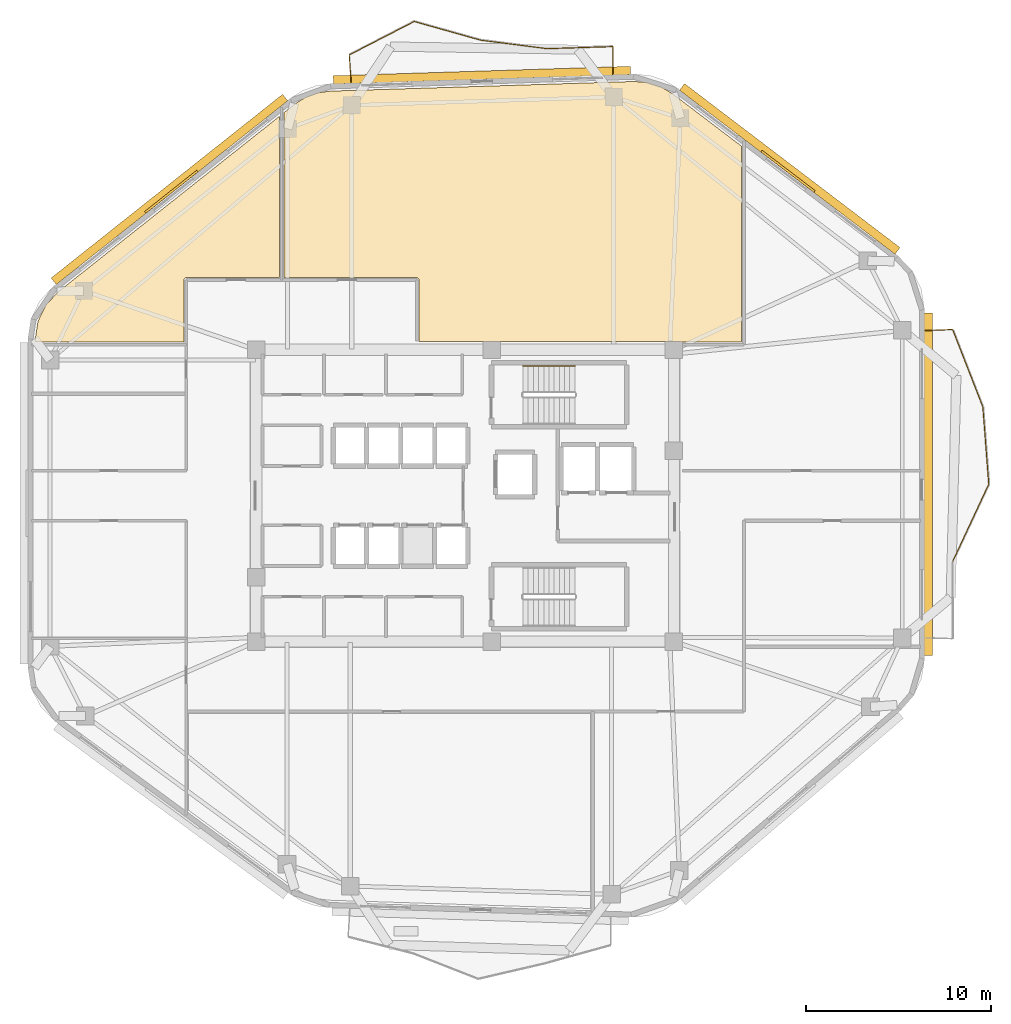
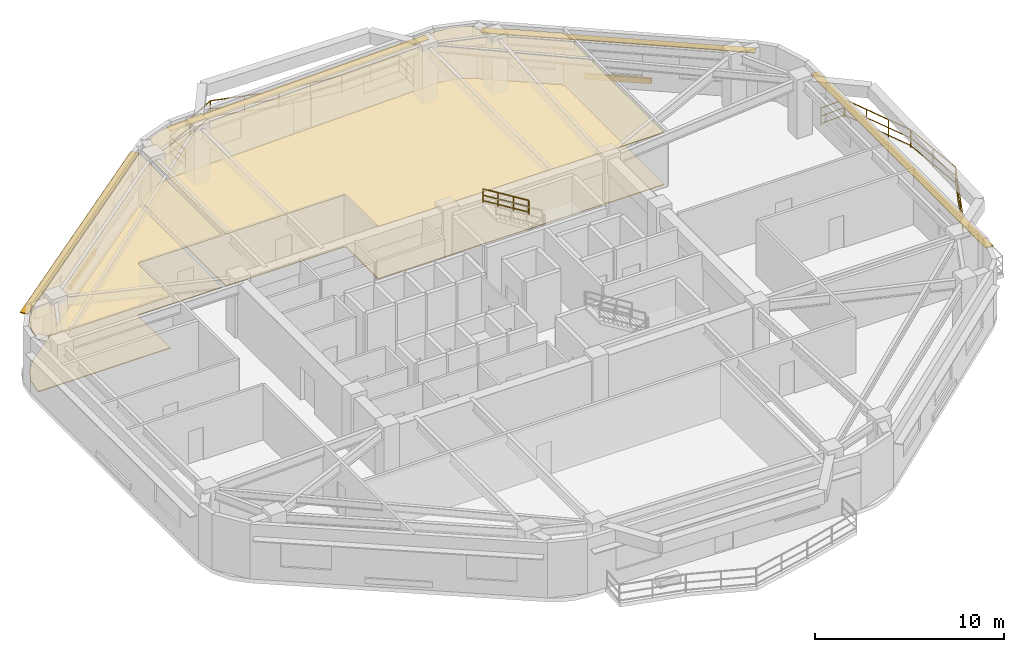
# One storey, part 8 of 9: 11 railings, 6 shading devices, 4 coverings.
"""IFC4 building model written with IfcOpenShell, lengths in metres."""

import ifcopenshell
import ifcopenshell.guid

model = None  # the IFC model being written
_history = None  # IfcOwnerHistory: only IFC2X3 demands one
_inside = {}  # id of a spatial element -> (the spatial element, [elements in it])
_under = {}  # id of a project, library or spatial element -> (it, [spatial elements below it])
_declared = {}  # id of a project -> (the project, [libraries it declares])
_typed = {}  # id of a type object -> (the type object, [elements of that type])
_made_of = {}  # id of a material, layer set ... -> (it, [elements and type objects made of it])


def new_model(schema):
    """Start an empty IFC model of exactly this schema.

    Asked for "IFC4X3", IfcOpenShell would pick the latest addendum, in which some entities
    have other attributes; the version numbers below select the first issue.
    IFC2X3 requires an IfcOwnerHistory on every rooted entity: one is made here for all.
    """
    global model, _history
    if schema == "IFC4X3":
        model = ifcopenshell.file(schema_version=(4, 3, 0, 0))
    else:
        model = ifcopenshell.file(schema=schema)
    _inside.clear()
    _under.clear()
    _declared.clear()
    _typed.clear()
    _made_of.clear()
    _history = None
    if model.schema == "IFC2X3":
        org = make("IfcOrganization", Name="unknown")
        user = make(
            "IfcPersonAndOrganization",
            ThePerson=make("IfcPerson", FamilyName="unknown"),
            TheOrganization=org,
        )
        app = make(
            "IfcApplication",
            ApplicationDeveloper=org,
            Version="unknown",
            ApplicationFullName="unknown",
            ApplicationIdentifier="unknown",
        )
        _history = make(
            "IfcOwnerHistory",
            OwningUser=user,
            OwningApplication=app,
            ChangeAction="ADDED",
            CreationDate=0,
        )
    return model


def make(cls, **values):
    """One entity of the class cls with the attributes given. An attribute that is None is left unset."""
    return model.create_entity(
        cls, **{name: value for name, value in values.items() if value is not None}
    )


def rooted(cls, **values):
    """An entity with a GlobalId (a new one), such as an element, a storey or a relation."""
    return make(cls, GlobalId=ifcopenshell.guid.new(), OwnerHistory=_history, **values)


def si_unit(unit_type, name, prefix=None):
    """IfcSIUnit, for example si_unit("LENGTHUNIT", "METRE", prefix="MILLI")."""
    return make("IfcSIUnit", UnitType=unit_type, Prefix=prefix, Name=name)


def assignment(units):
    """IfcUnitAssignment: the units of a project."""
    return None if units is None else make("IfcUnitAssignment", Units=units)


def point(xyz):
    """IfcCartesianPoint."""
    return None if xyz is None else make("IfcCartesianPoint", Coordinates=xyz)


def direction(xyz):
    """IfcDirection."""
    return None if xyz is None else make("IfcDirection", DirectionRatios=xyz)


def frame(location, z_axis=None, x_axis=None):
    """IfcAxis2Placement3D, a coordinate frame: its origin and axes. An axis left out is left unset."""
    return make(
        "IfcAxis2Placement3D",
        Location=point(location),
        Axis=direction(z_axis),
        RefDirection=direction(x_axis),
    )


def frame_2d(location, x_axis=None):
    """IfcAxis2Placement2D, a coordinate frame in the plane: its origin and x axis."""
    return make(
        "IfcAxis2Placement2D", Location=point(location), RefDirection=direction(x_axis)
    )


def origin():
    """The frame at (0, 0, 0) with its axes left unset."""
    return frame((0.0, 0.0, 0.0))


def origin_2d():
    """The frame at (0, 0) in the plane with its x axis left unset."""
    return frame_2d((0.0, 0.0))


def place(relative_to, where):
    """IfcLocalPlacement: puts the frame where relative to a parent placement (None: the world)."""
    return make(
        "IfcLocalPlacement", PlacementRelTo=relative_to, RelativePlacement=where
    )


def context(
    kind, dimensions, precision=None, world=None, true_north=None, identifier=None
):
    """IfcGeometricRepresentationContext, for example the 3D "Model" context."""
    return make(
        "IfcGeometricRepresentationContext",
        ContextIdentifier=identifier,
        ContextType=kind,
        CoordinateSpaceDimension=dimensions,
        Precision=precision,
        WorldCoordinateSystem=world,
        TrueNorth=true_north,
    )


def subcontext(parent, identifier, kind, view, scale=None):
    """IfcGeometricRepresentationSubContext, for example "Body" below "Model"."""
    return make(
        "IfcGeometricRepresentationSubContext",
        ContextIdentifier=identifier,
        ContextType=kind,
        ParentContext=parent,
        TargetScale=scale,
        TargetView=view,
    )


def project(units=None, contexts=None):
    """IfcProject with its units and contexts."""
    return rooted(
        "IfcProject",
        Name="project",
        RepresentationContexts=contexts,
        UnitsInContext=assignment(units),
    )


def spatial(cls, under=None, at=None, **own):
    """A site, building, storey or space (cls), placed at a placement, below another one or the project."""
    s = rooted(cls, ObjectPlacement=at, **own)
    if under is not None:
        _under.setdefault(under.id(), (under, []))[1].append(s)
    return s


def polyline(points):
    """IfcPolyline through the points."""
    return make("IfcPolyline", Points=[point(p) for p in points])


def profile(cls, at=None, kind="AREA", **sizes):
    """A parametric profile (cls). Its sizes go by their IFC names, for example OverallWidth=200.0."""
    return make(cls, ProfileType=kind, Position=at, **sizes)


def rectangle(**sizes):
    """IfcRectangleProfileDef."""
    return profile("IfcRectangleProfileDef", **sizes)


def outline(outer, holes=None, kind="AREA"):
    """IfcArbitraryClosedProfileDef: a profile drawn as a closed curve; with holes, ...WithVoids."""
    if holes is None:
        return make("IfcArbitraryClosedProfileDef", ProfileType=kind, OuterCurve=outer)
    return make(
        "IfcArbitraryProfileDefWithVoids",
        ProfileType=kind,
        OuterCurve=outer,
        InnerCurves=holes,
    )


def extrude(swept, where, along, depth):
    """IfcExtrudedAreaSolid: the profile swept, set in the frame where, extruded along a direction by depth."""
    return make(
        "IfcExtrudedAreaSolid",
        SweptArea=swept,
        Position=where,
        ExtrudedDirection=direction(along),
        Depth=depth,
    )


def shape(context_of_items, identifier, shape_type, items):
    """IfcShapeRepresentation: the items that make up one representation, for example the "Body"."""
    return make(
        "IfcShapeRepresentation",
        ContextOfItems=context_of_items,
        RepresentationIdentifier=identifier,
        RepresentationType=shape_type,
        Items=items,
    )


def material(Name=None, Category=None):
    """IfcMaterial."""
    return make("IfcMaterial", Name=Name, Category=Category)


def layer(
    of_material, thickness, ventilated=None, Name=None, Category=None, Priority=None
):
    """IfcMaterialLayer: one layer of a wall or slab, of a material (None: an air gap)."""
    return make(
        "IfcMaterialLayer",
        Material=of_material,
        LayerThickness=thickness,
        IsVentilated=ventilated,
        Name=Name,
        Category=Category,
        Priority=Priority,
    )


def layer_set(layers, Name=None):
    """IfcMaterialLayerSet."""
    return make("IfcMaterialLayerSet", MaterialLayers=layers, LayerSetName=Name)


def made_of(thing, what):
    """Note that an element or type object is made of a material, layer set ...; save() writes the relation."""
    if what is not None:
        _made_of.setdefault(what.id(), (what, []))[1].append(thing)
    return thing


def type_object(cls, material=None, **own):
    """A type object (cls), such as IfcWallType, which elements share."""
    return made_of(rooted(cls, **own), material)


def element(
    cls,
    number,
    at=None,
    inside=None,
    cuts=None,
    type_object=None,
    material=None,
    context=None,
    identifier="Body",
    shape_type=None,
    held_by="IfcProductDefinitionShape",
    body=None,
    shapes=None,
    **own,
):
    """One element of the class cls, such as IfcWall. Its Tag is "e" and its number.

    at: its placement. inside: the storey or other place that contains it. cuts: it is an
    opening in that element (IfcRelVoidsElement). A single representation is given by context,
    identifier, shape_type and body (its items); several are given by shapes. held_by: the class
    of the entity that holds the representations. save() writes the other relations.
    """
    e = rooted(cls, Tag="e%d" % number, ObjectPlacement=at, **own)
    if body is not None:
        shapes = [shape(context, identifier, shape_type, body)]
    if shapes is not None:
        e.Representation = make(held_by, Representations=shapes)
    if inside is not None:
        _inside.setdefault(inside.id(), (inside, []))[1].append(e)
    if cuts is not None:
        rooted(
            "IfcRelVoidsElement", RelatingBuildingElement=cuts, RelatedOpeningElement=e
        )
    if type_object is not None:
        _typed.setdefault(type_object.id(), (type_object, []))[1].append(e)
    return made_of(e, material)


def aggregate(whole, parts):
    """IfcRelAggregates: a whole, such as a stair, and the parts it consists of."""
    return rooted("IfcRelAggregates", RelatingObject=whole, RelatedObjects=parts)


def save(model, path):
    """Write the relations noted so far, then the file.

    IfcRelAggregates (storeys below a building ...), IfcRelContainedInSpatialStructure (elements
    in a storey), IfcRelDefinesByType, IfcRelAssociatesMaterial and IfcRelDeclares: one each for
    every whole, place, type object, material and project.
    """
    for whole, parts in _under.values():
        aggregate(whole, parts)
    for where, things in _inside.values():
        rooted(
            "IfcRelContainedInSpatialStructure",
            RelatedElements=things,
            RelatingStructure=where,
        )
    for kind, things in _typed.values():
        rooted("IfcRelDefinesByType", RelatedObjects=things, RelatingType=kind)
    for what, things in _made_of.values():
        rooted("IfcRelAssociatesMaterial", RelatedObjects=things, RelatingMaterial=what)
    for by, libraries in _declared.values():
        rooted("IfcRelDeclares", RelatingContext=by, RelatedDefinitions=libraries)
    model.write(path)


model = new_model("IFC4")

# Units and contexts
model_context = context("Model", 3, precision=1e-05, world=origin(), true_north=direction((0.0, 1.0)))
body_context = subcontext(model_context, "Body", "Model", "MODEL_VIEW")
ifc_project = project(units=[si_unit("LENGTHUNIT", "METRE"), si_unit("AREAUNIT", "SQUARE_METRE"), si_unit("VOLUMEUNIT", "CUBIC_METRE"), si_unit("PLANEANGLEUNIT", "RADIAN"), si_unit("MASSUNIT", "GRAM", prefix="KILO")], contexts=[model_context])

# Site, building, storey
site_placement = place(None, origin())
site = spatial("IfcSite", under=ifc_project, at=site_placement, CompositionType="ELEMENT")
building_placement = place(site_placement, origin())
building = spatial("IfcBuilding", under=site, at=building_placement, Name="Zulverin Broadcast Headquarters", CompositionType="ELEMENT")
storey_placement = place(building_placement, frame((0.0, 0.0, 159.199951171875)))
storey = spatial("IfcBuildingStorey", under=building, at=storey_placement, Name="L40", CompositionType="ELEMENT", Elevation=159.199951171875)

# Coverings
ifc_material_1 = material(Name="Perforated pale-metal acoustic baffle ceiling", Category="aluminium")
ifc_layer_1 = layer(ifc_material_1, 0.0400390625, Name="Perforated pale-metal acoustic baffle ceiling", Category="aluminium")
ifc_layer_set_1 = layer_set([ifc_layer_1], Name="Perforated pale-metal acoustic baffle ceiling")
covering_type_1 = type_object("IfcCoveringType", Name="COV-CEIL-ACOU", PredefinedType="CEILING", material=ifc_layer_set_1)
covering_1_placement = place(storey_placement, frame((0.0, 0.0, 3.360107421875)))
element("IfcCovering", 1, at=covering_1_placement, inside=storey, type_object=covering_type_1, Name="L40 Acoustic Baffle Ceiling 01", PredefinedType="CEILING", context=body_context, shape_type="SweptSolid", body=[
    extrude(outline(polyline([(21.951904296875, 36.971923828125), (26.97998046875, 36.971923828125), (26.97998046875, 45.679931640625), (15.031982421875, 36.199951171875), (14.364013671875, 35.47607421875), (13.947998046875, 34.615966796875), (13.800048828125, 33.64404296875), (13.800048828125, 33.5), (21.83203125, 33.5), (21.83203125, 36.85205078125), (21.83203125, 36.864013671875), (21.8359375, 36.8759765625), (21.8359375, 36.887939453125), (21.840087890625, 36.89599609375), (21.847900390625, 36.907958984375), (21.85205078125, 36.919921875), (21.860107421875, 36.927978515625), (21.867919921875, 36.93603515625), (21.8759765625, 36.944091796875), (21.884033203125, 36.951904296875), (21.89599609375, 36.9560546875), (21.907958984375, 36.964111328125), (21.916015625, 36.968017578125), (21.927978515625, 36.968017578125), (21.93994140625, 36.971923828125), (21.951904296875, 36.971923828125)])), origin(), (0.0, 0.0, 1.0), 0.0400390625),
])
covering_2_placement = place(storey_placement, frame((0.0, 0.0, 3.360107421875)))
element("IfcCovering", 2, at=covering_2_placement, inside=storey, type_object=covering_type_1, Name="L40 Acoustic Baffle Ceiling 02", PredefinedType="CEILING", context=body_context, shape_type="SweptSolid", body=[
    extrude(outline(polyline([(29.031982421875, 46.944091796875), (28.39599609375, 46.7080078125), (27.803955078125, 46.33203125), (27.219970703125, 45.867919921875), (27.219970703125, 36.971923828125), (34.360107421875, 36.971923828125), (34.3720703125, 36.971923828125), (34.384033203125, 36.968017578125), (34.39208984375, 36.968017578125), (34.39990234375, 36.964111328125), (34.407958984375, 36.964111328125), (34.419921875, 36.9599609375), (34.427978515625, 36.9560546875), (34.43603515625, 36.951904296875), (34.447998046875, 36.944091796875), (34.4599609375, 36.93603515625), (34.468017578125, 36.927978515625), (34.47607421875, 36.919921875), (34.48388671875, 36.912109375), (34.491943359375, 36.89990234375), (34.5, 36.887939453125), (34.50390625, 36.8798828125), (34.508056640625, 36.8720703125), (34.511962890625, 36.864013671875), (34.51611328125, 36.85205078125), (34.51611328125, 36.843994140625), (34.52001953125, 36.83203125), (34.52001953125, 36.820068359375), (34.52001953125, 33.52001953125), (48.568115234375, 33.52001953125), (48.580078125, 33.52001953125), (48.592041015625, 33.51611328125), (48.60009765625, 33.51611328125), (48.612060546875, 33.511962890625), (48.6201171875, 33.508056640625), (48.635986328125, 33.5), (51.927978515625, 33.5), (51.931884765625, 44.06005859375), (48.2080078125, 46.89208984375), (47.568115234375, 47.27587890625), (46.8759765625, 47.49609375), (46.1279296875, 47.56005859375), (44.10400390625, 47.49609375), (35.7041015625, 47.22802734375), (29.73193359375, 47.0400390625), (29.031982421875, 46.944091796875)])), origin(), (0.0, 0.0, 1.0), 0.0400390625),
])
ifc_material_2 = material(Name="Anti-static broadcast raised access flooring", Category="stone")
ifc_layer_2 = layer(ifc_material_2, 0.050048828125, Name="Anti-static broadcast raised access flooring", Category="stone")
ifc_layer_set_2 = layer_set([ifc_layer_2], Name="Anti-static broadcast raised access flooring")
covering_type_2 = type_object("IfcCoveringType", Name="COV-FLR-RAISED", PredefinedType="FLOORING", material=ifc_layer_set_2)
covering_3_placement = place(storey_placement, origin())
element("IfcCovering", 3, at=covering_3_placement, inside=storey, type_object=covering_type_2, Name="L40 Broadcast Raised Access Flooring 01", PredefinedType="FLOORING", context=body_context, shape_type="SweptSolid", body=[
    extrude(outline(polyline([(21.951904296875, 36.971923828125), (26.97998046875, 36.971923828125), (26.97998046875, 45.679931640625), (15.031982421875, 36.199951171875), (14.364013671875, 35.47607421875), (13.947998046875, 34.615966796875), (13.800048828125, 33.64404296875), (13.800048828125, 33.5), (21.83203125, 33.5), (21.83203125, 36.85205078125), (21.83203125, 36.864013671875), (21.8359375, 36.8759765625), (21.8359375, 36.887939453125), (21.840087890625, 36.89599609375), (21.847900390625, 36.907958984375), (21.85205078125, 36.919921875), (21.860107421875, 36.927978515625), (21.867919921875, 36.93603515625), (21.8759765625, 36.944091796875), (21.884033203125, 36.951904296875), (21.89599609375, 36.9560546875), (21.907958984375, 36.964111328125), (21.916015625, 36.968017578125), (21.927978515625, 36.968017578125), (21.93994140625, 36.971923828125), (21.951904296875, 36.971923828125)])), origin(), (0.0, 0.0, 1.0), 0.050048828125),
])
covering_4_placement = place(storey_placement, origin())
element("IfcCovering", 4, at=covering_4_placement, inside=storey, type_object=covering_type_2, Name="L40 Broadcast Raised Access Flooring 02", PredefinedType="FLOORING", context=body_context, shape_type="SweptSolid", body=[
    extrude(outline(polyline([(29.031982421875, 46.944091796875), (28.39599609375, 46.7080078125), (27.803955078125, 46.33203125), (27.219970703125, 45.867919921875), (27.219970703125, 36.971923828125), (34.360107421875, 36.971923828125), (34.3720703125, 36.971923828125), (34.384033203125, 36.968017578125), (34.39208984375, 36.968017578125), (34.39990234375, 36.964111328125), (34.407958984375, 36.964111328125), (34.419921875, 36.9599609375), (34.427978515625, 36.9560546875), (34.43603515625, 36.951904296875), (34.447998046875, 36.944091796875), (34.4599609375, 36.93603515625), (34.468017578125, 36.927978515625), (34.47607421875, 36.919921875), (34.48388671875, 36.912109375), (34.491943359375, 36.89990234375), (34.5, 36.887939453125), (34.50390625, 36.8798828125), (34.508056640625, 36.8720703125), (34.511962890625, 36.864013671875), (34.51611328125, 36.85205078125), (34.51611328125, 36.843994140625), (34.52001953125, 36.83203125), (34.52001953125, 36.820068359375), (34.52001953125, 33.52001953125), (48.568115234375, 33.52001953125), (48.580078125, 33.52001953125), (48.592041015625, 33.51611328125), (48.60009765625, 33.51611328125), (48.612060546875, 33.511962890625), (48.6201171875, 33.508056640625), (48.635986328125, 33.5), (51.927978515625, 33.5), (51.931884765625, 44.06005859375), (48.2080078125, 46.89208984375), (47.568115234375, 47.27587890625), (46.8759765625, 47.49609375), (46.1279296875, 47.56005859375), (44.10400390625, 47.49609375), (35.7041015625, 47.22802734375), (29.73193359375, 47.0400390625), (29.031982421875, 46.944091796875)])), origin(), (0.0, 0.0, 1.0), 0.050048828125),
])

# Railings
ifc_material_3 = material(Name="Brushed stainless steel & laminated glass balustrade", Category="steel")
railing_type_1 = type_object("IfcRailingType", Name="RL-GUARD-1150", PredefinedType="GUARDRAIL", material=ifc_material_3)
railing_1_placement = place(storey_placement, frame((63.326416015625, 21.658447265625, 0.0)))
element("IfcRailing", 5, at=railing_1_placement, inside=storey, type_object=railing_type_1, Name="L40 Vertical-Forest Balcony Guardrail BAL_E Segment 03", PredefinedType="GUARDRAIL", context=body_context, shape_type="SweptSolid", body=[
    extrude(rectangle(XDim=0.048095703125, YDim=0.048095703125, at=origin_2d()), frame((0.0, 0.0, 1.1259765625), z_axis=(0.423121903643, 0.906072764549, 0.0), x_axis=(-0.906072764549, 0.423121903643, 0.0)), (0.0, 0.0, 1.0), 4.578369140625),
    extrude(rectangle(XDim=0.0419921875, YDim=0.0419921875, at=origin_2d()), frame((0.0, 0.0, 0.597900390625), z_axis=(0.423121903643, 0.906072764549, 0.0), x_axis=(-0.906072764549, 0.423121903643, 0.0)), (0.0, 0.0, 1.0), 4.578369140625),
    extrude(rectangle(XDim=0.0419921875, YDim=0.0419921875, at=origin_2d()), frame((0.0, 0.0, 0.1201171875), z_axis=(0.423121903643, 0.906072764549, 0.0), x_axis=(-0.906072764549, 0.423121903643, 0.0)), (0.0, 0.0, 1.0), 4.578369140625),
    extrude(rectangle(XDim=0.0419921875, YDim=0.0419921875, at=origin_2d()), origin(), (0.0, 0.0, 1.0), 1.101806640625),
    extrude(rectangle(XDim=0.0419921875, YDim=0.0419921875, at=origin_2d()), frame((0.645751953125, 1.3828125, 0.0)), (0.0, 0.0, 1.0), 1.101806640625),
    extrude(rectangle(XDim=0.0419921875, YDim=0.0419921875, at=origin_2d()), frame((1.29150390625, 2.765625, 0.0)), (0.0, 0.0, 1.0), 1.101806640625),
    extrude(rectangle(XDim=0.0419921875, YDim=0.0419921875, at=origin_2d()), frame((1.937255859375, 4.1484375, 0.0)), (0.0, 0.0, 1.0), 1.101806640625),
])
railing_2_placement = place(storey_placement, frame((65.268798828125, 25.83544921875, 0.0)))
element("IfcRailing", 6, at=railing_2_placement, inside=storey, type_object=railing_type_1, Name="L40 Vertical-Forest Balcony Guardrail BAL_E Segment 04", PredefinedType="GUARDRAIL", context=body_context, shape_type="SweptSolid", body=[
    extrude(rectangle(XDim=0.048095703125, YDim=0.048095703125, at=origin_2d()), frame((0.0, 0.0, 1.1259765625), z_axis=(-0.076512392547, 0.99706863043, 0.0), x_axis=(-0.99706863043, -0.076512392547, 0.0)), (0.0, 0.0, 1.0), 4.15771484375),
    extrude(rectangle(XDim=0.0419921875, YDim=0.0419921875, at=origin_2d()), frame((0.0, 0.0, 0.597900390625), z_axis=(-0.076512392547, 0.99706863043, 0.0), x_axis=(-0.99706863043, -0.076512392547, 0.0)), (0.0, 0.0, 1.0), 4.15771484375),
    extrude(rectangle(XDim=0.0419921875, YDim=0.0419921875, at=origin_2d()), frame((0.0, 0.0, 0.1201171875), z_axis=(-0.076512392547, 0.99706863043, 0.0), x_axis=(-0.99706863043, -0.076512392547, 0.0)), (0.0, 0.0, 1.0), 4.15771484375),
    extrude(rectangle(XDim=0.0419921875, YDim=0.0419921875, at=origin_2d()), origin(), (0.0, 0.0, 1.0), 1.101806640625),
    extrude(rectangle(XDim=0.0419921875, YDim=0.0419921875, at=origin_2d()), frame((-0.1591796875, 2.07275390625, 0.0)), (0.0, 0.0, 1.0), 1.101806640625),
    extrude(rectangle(XDim=0.0419921875, YDim=0.0419921875, at=origin_2d()), frame((-0.318115234375, 4.1455078125, 0.0)), (0.0, 0.0, 1.0), 1.101806640625),
])
railing_3_placement = place(storey_placement, frame((64.944091796875, 30.010009765625, 0.0)))
element("IfcRailing", 7, at=railing_3_placement, inside=storey, type_object=railing_type_1, Name="L40 Vertical-Forest Balcony Guardrail BAL_E Segment 05", PredefinedType="GUARDRAIL", context=body_context, shape_type="SweptSolid", body=[
    extrude(rectangle(XDim=0.048095703125, YDim=0.048095703125, at=origin_2d()), frame((0.0, 0.0, 1.1259765625), z_axis=(-0.363568021292, 0.931567653954, 0.0), x_axis=(-0.931567653954, -0.363568021292, 0.0)), (0.0, 0.0, 1.0), 4.4521484375),
    extrude(rectangle(XDim=0.0419921875, YDim=0.0419921875, at=origin_2d()), frame((0.0, 0.0, 0.597900390625), z_axis=(-0.363568021292, 0.931567653954, 0.0), x_axis=(-0.931567653954, -0.363568021292, 0.0)), (0.0, 0.0, 1.0), 4.4521484375),
    extrude(rectangle(XDim=0.0419921875, YDim=0.0419921875, at=origin_2d()), frame((0.0, 0.0, 0.1201171875), z_axis=(-0.363568021292, 0.931567653954, 0.0), x_axis=(-0.931567653954, -0.363568021292, 0.0)), (0.0, 0.0, 1.0), 4.4521484375),
    extrude(rectangle(XDim=0.0419921875, YDim=0.0419921875, at=origin_2d()), origin(), (0.0, 0.0, 1.0), 1.101806640625),
    extrude(rectangle(XDim=0.0419921875, YDim=0.0419921875, at=origin_2d()), frame((-0.53955078125, 1.382568359375, 0.0)), (0.0, 0.0, 1.0), 1.101806640625),
    extrude(rectangle(XDim=0.0419921875, YDim=0.0419921875, at=origin_2d()), frame((-1.0791015625, 2.764892578125, 0.0)), (0.0, 0.0, 1.0), 1.101806640625),
    extrude(rectangle(XDim=0.0419921875, YDim=0.0419921875, at=origin_2d()), frame((-1.61865234375, 4.1474609375, 0.0)), (0.0, 0.0, 1.0), 1.101806640625),
])
railing_4_placement = place(storey_placement, frame((63.304931640625, 34.1708984375, 0.0)))
element("IfcRailing", 8, at=railing_4_placement, inside=storey, type_object=railing_type_1, Name="L40 Vertical-Forest Balcony Guardrail BAL_E Segment 06", PredefinedType="GUARDRAIL", context=body_context, shape_type="SweptSolid", body=[
    extrude(rectangle(XDim=0.048095703125, YDim=0.048095703125, at=origin_2d()), frame((0.0, 0.0, 1.1259765625), z_axis=(-0.99918088253, -0.040466825742, 0.0), x_axis=(0.040466825742, -0.99918088253, 0.0)), (0.0, 0.0, 1.0), 1.466064453125),
    extrude(rectangle(XDim=0.0419921875, YDim=0.0419921875, at=origin_2d()), frame((0.0, 0.0, 0.597900390625), z_axis=(-0.99918088253, -0.040466825742, 0.0), x_axis=(0.040466825742, -0.99918088253, 0.0)), (0.0, 0.0, 1.0), 1.466064453125),
    extrude(rectangle(XDim=0.0419921875, YDim=0.0419921875, at=origin_2d()), frame((0.0, 0.0, 0.1201171875), z_axis=(-0.99918088253, -0.040466825742, 0.0), x_axis=(0.040466825742, -0.99918088253, 0.0)), (0.0, 0.0, 1.0), 1.466064453125),
    extrude(rectangle(XDim=0.0419921875, YDim=0.0419921875, at=origin_2d()), origin(), (0.0, 0.0, 1.0), 1.101806640625),
    extrude(rectangle(XDim=0.0419921875, YDim=0.0419921875, at=origin_2d()), frame((-1.46484375, -0.059326171875, 0.0)), (0.0, 0.0, 1.0), 1.101806640625),
])
railing_5_placement = place(storey_placement, frame((44.978271484375, 47.962646484375, 0.0)))
element("IfcRailing", 9, at=railing_5_placement, inside=storey, type_object=railing_type_1, Name="L40 Vertical-Forest Balcony Guardrail BAL_N Segment 01", PredefinedType="GUARDRAIL", context=body_context, shape_type="SweptSolid", body=[
    extrude(rectangle(XDim=0.048095703125, YDim=0.048095703125, at=origin_2d()), frame((0.0, 0.0, 1.1259765625), z_axis=(0.008825634609, 0.999961053328, 0.0), x_axis=(-0.999961053328, 0.008825634609, 0.0)), (0.0, 0.0, 1.0), 1.466064453125),
    extrude(rectangle(XDim=0.0419921875, YDim=0.0419921875, at=origin_2d()), frame((0.0, 0.0, 0.597900390625), z_axis=(0.008825634609, 0.999961053328, 0.0), x_axis=(-0.999961053328, 0.008825634609, 0.0)), (0.0, 0.0, 1.0), 1.466064453125),
    extrude(rectangle(XDim=0.0419921875, YDim=0.0419921875, at=origin_2d()), frame((0.0, 0.0, 0.1201171875), z_axis=(0.008825634609, 0.999961053328, 0.0), x_axis=(-0.999961053328, 0.008825634609, 0.0)), (0.0, 0.0, 1.0), 1.466064453125),
    extrude(rectangle(XDim=0.0419921875, YDim=0.0419921875, at=origin_2d()), origin(), (0.0, 0.0, 1.0), 1.101806640625),
    extrude(rectangle(XDim=0.0419921875, YDim=0.0419921875, at=origin_2d()), frame((0.012939453125, 1.466064453125, 0.0)), (0.0, 0.0, 1.0), 1.101806640625),
])
railing_6_placement = place(storey_placement, frame((44.976318359375, 49.443359375, 0.0)))
element("IfcRailing", 10, at=railing_6_placement, inside=storey, type_object=railing_type_1, Name="L40 Vertical-Forest Balcony Guardrail BAL_N Segment 02", PredefinedType="GUARDRAIL", context=body_context, shape_type="SweptSolid", body=[
    extrude(rectangle(XDim=0.048095703125, YDim=0.048095703125, at=origin_2d()), frame((0.0, 0.0, 1.1259765625), z_axis=(-0.999496927381, -0.03171580295, 0.0), x_axis=(0.03171580295, -0.999496927381, 0.0)), (0.0, 0.0, 1.0), 3.533203125),
    extrude(rectangle(XDim=0.0419921875, YDim=0.0419921875, at=origin_2d()), frame((0.0, 0.0, 0.597900390625), z_axis=(-0.999496927381, -0.03171580295, 0.0), x_axis=(0.03171580295, -0.999496927381, 0.0)), (0.0, 0.0, 1.0), 3.533203125),
    extrude(rectangle(XDim=0.0419921875, YDim=0.0419921875, at=origin_2d()), frame((0.0, 0.0, 0.1201171875), z_axis=(-0.999496927381, -0.03171580295, 0.0), x_axis=(0.03171580295, -0.999496927381, 0.0)), (0.0, 0.0, 1.0), 3.533203125),
    extrude(rectangle(XDim=0.0419921875, YDim=0.0419921875, at=origin_2d()), origin(), (0.0, 0.0, 1.0), 1.101806640625),
    extrude(rectangle(XDim=0.0419921875, YDim=0.0419921875, at=origin_2d()), frame((-1.765625, -0.05615234375, 0.0)), (0.0, 0.0, 1.0), 1.101806640625),
    extrude(rectangle(XDim=0.0419921875, YDim=0.0419921875, at=origin_2d()), frame((-3.531494140625, -0.112060546875, 0.0)), (0.0, 0.0, 1.0), 1.101806640625),
])
railing_7_placement = place(storey_placement, frame((41.4150390625, 49.332763671875, 0.0)))
element("IfcRailing", 11, at=railing_7_placement, inside=storey, type_object=railing_type_1, Name="L40 Vertical-Forest Balcony Guardrail BAL_N Segment 03", PredefinedType="GUARDRAIL", context=body_context, shape_type="SweptSolid", body=[
    extrude(rectangle(XDim=0.048095703125, YDim=0.048095703125, at=origin_2d()), frame((0.0, 0.0, 1.1259765625), z_axis=(-0.991958712042, 0.126561896337, 0.0), x_axis=(-0.126561896337, -0.991958712042, 0.0)), (0.0, 0.0, 1.0), 3.578369140625),
    extrude(rectangle(XDim=0.0419921875, YDim=0.0419921875, at=origin_2d()), frame((0.0, 0.0, 0.597900390625), z_axis=(-0.991958712042, 0.126561896337, 0.0), x_axis=(-0.126561896337, -0.991958712042, 0.0)), (0.0, 0.0, 1.0), 3.578369140625),
    extrude(rectangle(XDim=0.0419921875, YDim=0.0419921875, at=origin_2d()), frame((0.0, 0.0, 0.1201171875), z_axis=(-0.991958712042, 0.126561896337, 0.0), x_axis=(-0.126561896337, -0.991958712042, 0.0)), (0.0, 0.0, 1.0), 3.578369140625),
    extrude(rectangle(XDim=0.0419921875, YDim=0.0419921875, at=origin_2d()), origin(), (0.0, 0.0, 1.0), 1.101806640625),
    extrude(rectangle(XDim=0.0419921875, YDim=0.0419921875, at=origin_2d()), frame((-1.77490234375, 0.2265625, 0.0)), (0.0, 0.0, 1.0), 1.101806640625),
    extrude(rectangle(XDim=0.0419921875, YDim=0.0419921875, at=origin_2d()), frame((-3.549560546875, 0.452880859375, 0.0)), (0.0, 0.0, 1.0), 1.101806640625),
])
railing_8_placement = place(storey_placement, frame((37.836181640625, 49.791748046875, 0.0)))
element("IfcRailing", 12, at=railing_8_placement, inside=storey, type_object=railing_type_1, Name="L40 Vertical-Forest Balcony Guardrail BAL_N Segment 04", PredefinedType="GUARDRAIL", context=body_context, shape_type="SweptSolid", body=[
    extrude(rectangle(XDim=0.048095703125, YDim=0.048095703125, at=origin_2d()), frame((0.0, 0.0, 1.1259765625), z_axis=(-0.962715289952, 0.270516673223, 0.0), x_axis=(-0.270516673223, -0.962715289952, 0.0)), (0.0, 0.0, 1.0), 3.70654296875),
    extrude(rectangle(XDim=0.0419921875, YDim=0.0419921875, at=origin_2d()), frame((0.0, 0.0, 0.597900390625), z_axis=(-0.962715289952, 0.270516673223, 0.0), x_axis=(-0.270516673223, -0.962715289952, 0.0)), (0.0, 0.0, 1.0), 3.70654296875),
    extrude(rectangle(XDim=0.0419921875, YDim=0.0419921875, at=origin_2d()), frame((0.0, 0.0, 0.1201171875), z_axis=(-0.962715289952, 0.270516673223, 0.0), x_axis=(-0.270516673223, -0.962715289952, 0.0)), (0.0, 0.0, 1.0), 3.70654296875),
    extrude(rectangle(XDim=0.0419921875, YDim=0.0419921875, at=origin_2d()), origin(), (0.0, 0.0, 1.0), 1.101806640625),
    extrude(rectangle(XDim=0.0419921875, YDim=0.0419921875, at=origin_2d()), frame((-1.7841796875, 0.50146484375, 0.0)), (0.0, 0.0, 1.0), 1.101806640625),
    extrude(rectangle(XDim=0.0419921875, YDim=0.0419921875, at=origin_2d()), frame((-3.568359375, 1.002685546875, 0.0)), (0.0, 0.0, 1.0), 1.101806640625),
])
railing_9_placement = place(storey_placement, frame((34.240234375, 50.79150390625, 0.0)))
element("IfcRailing", 13, at=railing_9_placement, inside=storey, type_object=railing_type_1, Name="L40 Vertical-Forest Balcony Guardrail BAL_N Segment 05", PredefinedType="GUARDRAIL", context=body_context, shape_type="SweptSolid", body=[
    extrude(rectangle(XDim=0.048095703125, YDim=0.048095703125, at=origin_2d()), frame((0.0, 0.0, 1.1259765625), z_axis=(-0.889026089134, -0.457856541767, 0.0), x_axis=(0.457856541767, -0.889026089134, 0.0)), (0.0, 0.0, 1.0), 3.91552734375),
    extrude(rectangle(XDim=0.0419921875, YDim=0.0419921875, at=origin_2d()), frame((0.0, 0.0, 0.597900390625), z_axis=(-0.889026089134, -0.457856541767, 0.0), x_axis=(0.457856541767, -0.889026089134, 0.0)), (0.0, 0.0, 1.0), 3.91552734375),
    extrude(rectangle(XDim=0.0419921875, YDim=0.0419921875, at=origin_2d()), frame((0.0, 0.0, 0.1201171875), z_axis=(-0.889026089134, -0.457856541767, 0.0), x_axis=(0.457856541767, -0.889026089134, 0.0)), (0.0, 0.0, 1.0), 3.91552734375),
    extrude(rectangle(XDim=0.0419921875, YDim=0.0419921875, at=origin_2d()), origin(), (0.0, 0.0, 1.0), 1.101806640625),
    extrude(rectangle(XDim=0.0419921875, YDim=0.0419921875, at=origin_2d()), frame((-1.740478515625, -0.896484375, 0.0)), (0.0, 0.0, 1.0), 1.101806640625),
    extrude(rectangle(XDim=0.0419921875, YDim=0.0419921875, at=origin_2d()), frame((-3.48095703125, -1.792724609375, 0.0)), (0.0, 0.0, 1.0), 1.101806640625),
])
railing_10_placement = place(storey_placement, frame((30.7470703125, 48.976806640625, 0.0)))
element("IfcRailing", 14, at=railing_10_placement, inside=storey, type_object=railing_type_1, Name="L40 Vertical-Forest Balcony Guardrail BAL_N Segment 06", PredefinedType="GUARDRAIL", context=body_context, shape_type="SweptSolid", body=[
    extrude(rectangle(XDim=0.048095703125, YDim=0.048095703125, at=origin_2d()), frame((0.0, 0.0, 1.1259765625), z_axis=(0.072110992432, -0.997396613575, 0.0), x_axis=(0.997396613575, 0.072110992432, 0.0)), (0.0, 0.0, 1.0), 1.466064453125),
    extrude(rectangle(XDim=0.0419921875, YDim=0.0419921875, at=origin_2d()), frame((0.0, 0.0, 0.597900390625), z_axis=(0.072110992432, -0.997396613575, 0.0), x_axis=(0.997396613575, 0.072110992432, 0.0)), (0.0, 0.0, 1.0), 1.466064453125),
    extrude(rectangle(XDim=0.0419921875, YDim=0.0419921875, at=origin_2d()), frame((0.0, 0.0, 0.1201171875), z_axis=(0.072110992432, -0.997396613575, 0.0), x_axis=(0.997396613575, 0.072110992432, 0.0)), (0.0, 0.0, 1.0), 1.466064453125),
    extrude(rectangle(XDim=0.0419921875, YDim=0.0419921875, at=origin_2d()), origin(), (0.0, 0.0, 1.0), 1.101806640625),
    extrude(rectangle(XDim=0.0419921875, YDim=0.0419921875, at=origin_2d()), frame((0.105712890625, -1.462158203125, 0.0)), (0.0, 0.0, 1.0), 1.101806640625),
])
ifc_material_4 = material(Name="Brushed stainless steel 48 mm handrail", Category="steel")
railing_type_2 = type_object("IfcRailingType", Name="RL-ST-HAND", PredefinedType="HANDRAIL", material=ifc_material_4)
railing_11_placement = place(storey_placement, frame((42.929931640625, 32.199951171875, 2.07275390625)))
element("IfcRailing", 15, at=railing_11_placement, inside=storey, type_object=railing_type_2, Name="L40 ST-1 stair handrail 2", PredefinedType="HANDRAIL", context=body_context, shape_type="SweptSolid", body=[
    extrude(rectangle(XDim=0.048095703125, YDim=0.048095703125, at=origin_2d()), frame((0.0, 0.0, 0.8759765625), z_axis=(-0.851089632645, 0.0, 0.525020415988), x_axis=(0.0, -1.0, 0.0)), (0.0, 0.0, 1.0), 3.2900390625),
    extrude(rectangle(XDim=0.0419921875, YDim=0.0419921875, at=origin_2d()), frame((0.0, 0.0, 0.468017578125), z_axis=(-0.851089632645, 0.0, 0.525020415988), x_axis=(0.0, -1.0, 0.0)), (0.0, 0.0, 1.0), 3.2900390625),
    extrude(rectangle(XDim=0.0419921875, YDim=0.0419921875, at=origin_2d()), frame((0.0, 0.0, 0.1201171875), z_axis=(-0.851089632645, 0.0, 0.525020415988), x_axis=(0.0, -1.0, 0.0)), (0.0, 0.0, 1.0), 3.2900390625),
    extrude(rectangle(XDim=0.0419921875, YDim=0.0419921875, at=origin_2d()), origin(), (0.0, 0.0, 1.0), 0.851806640625),
    extrude(rectangle(XDim=0.0419921875, YDim=0.0419921875, at=origin_2d()), frame((-0.933349609375, 0.0, 0.57568359375)), (0.0, 0.0, 1.0), 0.851806640625),
    extrude(rectangle(XDim=0.0419921875, YDim=0.0419921875, at=origin_2d()), frame((-1.86669921875, 0.0, 1.151611328125)), (0.0, 0.0, 1.0), 0.851806640625),
    extrude(rectangle(XDim=0.0419921875, YDim=0.0419921875, at=origin_2d()), frame((-2.800048828125, 0.0, 1.727294921875)), (0.0, 0.0, 1.0), 0.851806640625),
])

# Shading devices
ifc_material_5 = material(Name="Anodized pale-metal aluminium acoustic louvre", Category="aluminium")
shading_device_type_1 = type_object("IfcShadingDeviceType", Name="SHD-LOUVRE-350", PredefinedType="USERDEFINED", material=ifc_material_5)
for number, where, z_axis, x_axis, name in (
    (16, (54.4306640625, 42.713134765625, 0.2451171875), (0.0, 0.0, 1.0), (-0.795836111996, 0.605512083152, 0.0), "L40 Spandrel Intake Louvre 4"),
    (17, (21.1416015625, 41.607421875, 0.2451171875), (0.0, 0.0, 1.0), (-0.783270473924, -0.621681079556, 0.0), "L40 Spandrel Intake Louvre 6"),
):
    element("IfcShadingDevice", number, at=place(storey_placement, frame(where, z_axis=z_axis, x_axis=x_axis)), inside=storey, type_object=shading_device_type_1, Name=name, ObjectType="LOUVRE", PredefinedType="USERDEFINED", context=body_context, shape_type="SweptSolid", body=[
        extrude(rectangle(XDim=3.60009765625, YDim=0.1201171875, at=origin_2d()), origin(), (0.0, 0.0, 1.0), 0.35009765625),
    ])
ifc_material_6 = material(Name="Anodized pale-metal aluminium sunshade", Category="aluminium")
ifc_layer_3 = layer(ifc_material_6, 0.06005859375, Name="Anodized pale-metal aluminium sunshade", Category="aluminium")
ifc_layer_set_3 = layer_set([ifc_layer_3], Name="Anodized pale-metal aluminium sunshade")
shading_device_type_2 = type_object("IfcShadingDeviceType", Name="SS-01_PALE_METAL_ALUMINIUM_SUNSHADE", PredefinedType="USERDEFINED", material=ifc_layer_set_3)
shading_device_1_placement = place(storey_placement, frame((62.0, 25.8203125, 2.7099609375), z_axis=(0.0, 0.0, 1.0), x_axis=(0.0, 1.0, 0.0)))
element("IfcShadingDevice", 18, at=shading_device_1_placement, inside=storey, type_object=shading_device_type_2, Name="L40 Horizontal Pale-Metal Sunshade Band 3", ObjectType="SUNSHADE", PredefinedType="USERDEFINED", context=body_context, shape_type="SweptSolid", body=[
    extrude(rectangle(XDim=18.502197265625, YDim=0.449951171875, at=origin_2d()), origin(), (0.0, 0.0, 1.0), 0.06005859375),
])
shading_device_2_placement = place(storey_placement, frame((54.527587890625, 42.840576171875, 2.7099609375), z_axis=(0.0, 0.0, 1.0), x_axis=(-0.795836111996, 0.605512083152, 0.0)))
element("IfcShadingDevice", 19, at=shading_device_2_placement, inside=storey, type_object=shading_device_type_2, Name="L40 Horizontal Pale-Metal Sunshade Band 4", ObjectType="SUNSHADE", PredefinedType="USERDEFINED", context=body_context, shape_type="SweptSolid", body=[
    extrude(rectangle(XDim=14.61181640625, YDim=0.449951171875, at=origin_2d()), origin(), (0.0, 0.0, 1.0), 0.06005859375),
])
shading_device_3_placement = place(storey_placement, frame((37.910400390625, 47.8984375, 2.7099609375), z_axis=(0.0, 0.0, 1.0), x_axis=(-0.999497141269, -0.031709061709, 0.0)))
element("IfcShadingDevice", 20, at=shading_device_3_placement, inside=storey, type_object=shading_device_type_2, Name="L40 Horizontal Pale-Metal Sunshade Band 5", ObjectType="SUNSHADE", PredefinedType="USERDEFINED", context=body_context, shape_type="SweptSolid", body=[
    extrude(rectangle(XDim=16.052490234375, YDim=0.449951171875, at=origin_2d()), origin(), (0.0, 0.0, 1.0), 0.06005859375),
])
shading_device_4_placement = place(storey_placement, frame((21.0419921875, 41.73291015625, 2.7099609375), z_axis=(0.0, 0.0, 1.0), x_axis=(-0.783270473924, -0.621681079556, 0.0)))
element("IfcShadingDevice", 21, at=shading_device_4_placement, inside=storey, type_object=shading_device_type_2, Name="L40 Horizontal Pale-Metal Sunshade Band 6", ObjectType="SUNSHADE", PredefinedType="USERDEFINED", context=body_context, shape_type="SweptSolid", body=[
    extrude(rectangle(XDim=15.953125, YDim=0.449951171875, at=origin_2d()), origin(), (0.0, 0.0, 1.0), 0.06005859375),
])

save(model, "model.ifc")
